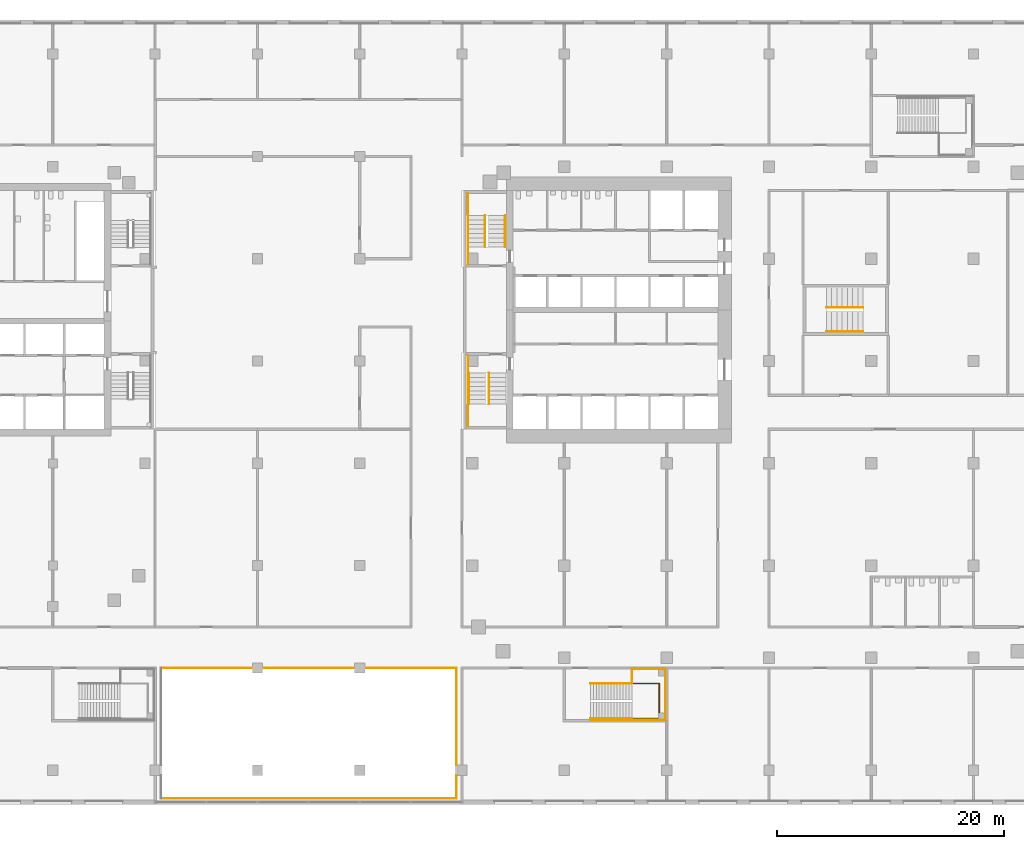
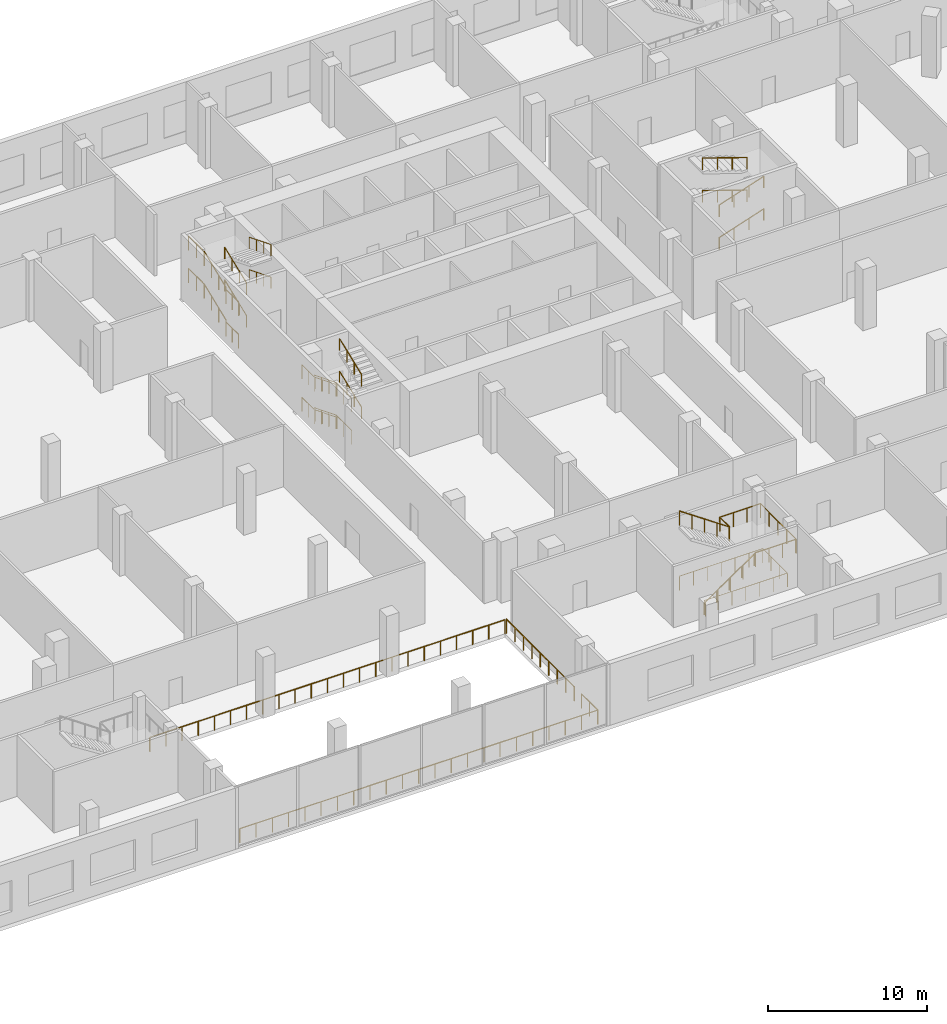
# One storey, part 21 of 23: 26 railings, 3 elements without a shape of their own.
"""IFC4 building model written with IfcOpenShell, lengths in metres."""

import ifcopenshell
import ifcopenshell.guid

model = None  # the IFC model being written
_history = None  # IfcOwnerHistory: only IFC2X3 demands one
_inside = {}  # id of a spatial element -> (the spatial element, [elements in it])
_under = {}  # id of a project, library or spatial element -> (it, [spatial elements below it])
_declared = {}  # id of a project -> (the project, [libraries it declares])
_typed = {}  # id of a type object -> (the type object, [elements of that type])
_made_of = {}  # id of a material, layer set ... -> (it, [elements and type objects made of it])


def new_model(schema):
    """Start an empty IFC model of exactly this schema.

    Asked for "IFC4X3", IfcOpenShell would pick the latest addendum, in which some entities
    have other attributes; the version numbers below select the first issue.
    IFC2X3 requires an IfcOwnerHistory on every rooted entity: one is made here for all.
    """
    global model, _history
    if schema == "IFC4X3":
        model = ifcopenshell.file(schema_version=(4, 3, 0, 0))
    else:
        model = ifcopenshell.file(schema=schema)
    _inside.clear()
    _under.clear()
    _declared.clear()
    _typed.clear()
    _made_of.clear()
    _history = None
    if model.schema == "IFC2X3":
        org = make("IfcOrganization", Name="unknown")
        user = make(
            "IfcPersonAndOrganization",
            ThePerson=make("IfcPerson", FamilyName="unknown"),
            TheOrganization=org,
        )
        app = make(
            "IfcApplication",
            ApplicationDeveloper=org,
            Version="unknown",
            ApplicationFullName="unknown",
            ApplicationIdentifier="unknown",
        )
        _history = make(
            "IfcOwnerHistory",
            OwningUser=user,
            OwningApplication=app,
            ChangeAction="ADDED",
            CreationDate=0,
        )
    return model


def make(cls, **values):
    """One entity of the class cls with the attributes given. An attribute that is None is left unset."""
    return model.create_entity(
        cls, **{name: value for name, value in values.items() if value is not None}
    )


def rooted(cls, **values):
    """An entity with a GlobalId (a new one), such as an element, a storey or a relation."""
    return make(cls, GlobalId=ifcopenshell.guid.new(), OwnerHistory=_history, **values)


def si_unit(unit_type, name, prefix=None):
    """IfcSIUnit, for example si_unit("LENGTHUNIT", "METRE", prefix="MILLI")."""
    return make("IfcSIUnit", UnitType=unit_type, Prefix=prefix, Name=name)


def assignment(units):
    """IfcUnitAssignment: the units of a project."""
    return None if units is None else make("IfcUnitAssignment", Units=units)


def point(xyz):
    """IfcCartesianPoint."""
    return None if xyz is None else make("IfcCartesianPoint", Coordinates=xyz)


def direction(xyz):
    """IfcDirection."""
    return None if xyz is None else make("IfcDirection", DirectionRatios=xyz)


def frame(location, z_axis=None, x_axis=None):
    """IfcAxis2Placement3D, a coordinate frame: its origin and axes. An axis left out is left unset."""
    return make(
        "IfcAxis2Placement3D",
        Location=point(location),
        Axis=direction(z_axis),
        RefDirection=direction(x_axis),
    )


def frame_2d(location, x_axis=None):
    """IfcAxis2Placement2D, a coordinate frame in the plane: its origin and x axis."""
    return make(
        "IfcAxis2Placement2D", Location=point(location), RefDirection=direction(x_axis)
    )


def origin():
    """The frame at (0, 0, 0) with its axes left unset."""
    return frame((0.0, 0.0, 0.0))


def origin_2d():
    """The frame at (0, 0) in the plane with its x axis left unset."""
    return frame_2d((0.0, 0.0))


def place(relative_to, where):
    """IfcLocalPlacement: puts the frame where relative to a parent placement (None: the world)."""
    return make(
        "IfcLocalPlacement", PlacementRelTo=relative_to, RelativePlacement=where
    )


def context(
    kind, dimensions, precision=None, world=None, true_north=None, identifier=None
):
    """IfcGeometricRepresentationContext, for example the 3D "Model" context."""
    return make(
        "IfcGeometricRepresentationContext",
        ContextIdentifier=identifier,
        ContextType=kind,
        CoordinateSpaceDimension=dimensions,
        Precision=precision,
        WorldCoordinateSystem=world,
        TrueNorth=true_north,
    )


def subcontext(parent, identifier, kind, view, scale=None):
    """IfcGeometricRepresentationSubContext, for example "Body" below "Model"."""
    return make(
        "IfcGeometricRepresentationSubContext",
        ContextIdentifier=identifier,
        ContextType=kind,
        ParentContext=parent,
        TargetScale=scale,
        TargetView=view,
    )


def project(units=None, contexts=None):
    """IfcProject with its units and contexts."""
    return rooted(
        "IfcProject",
        Name="project",
        RepresentationContexts=contexts,
        UnitsInContext=assignment(units),
    )


def spatial(cls, under=None, at=None, **own):
    """A site, building, storey or space (cls), placed at a placement, below another one or the project."""
    s = rooted(cls, ObjectPlacement=at, **own)
    if under is not None:
        _under.setdefault(under.id(), (under, []))[1].append(s)
    return s


def profile(cls, at=None, kind="AREA", **sizes):
    """A parametric profile (cls). Its sizes go by their IFC names, for example OverallWidth=200.0."""
    return make(cls, ProfileType=kind, Position=at, **sizes)


def circle(**sizes):
    """IfcCircleProfileDef."""
    return profile("IfcCircleProfileDef", **sizes)


def extrude(swept, where, along, depth):
    """IfcExtrudedAreaSolid: the profile swept, set in the frame where, extruded along a direction by depth."""
    return make(
        "IfcExtrudedAreaSolid",
        SweptArea=swept,
        Position=where,
        ExtrudedDirection=direction(along),
        Depth=depth,
    )


def shape(context_of_items, identifier, shape_type, items):
    """IfcShapeRepresentation: the items that make up one representation, for example the "Body"."""
    return make(
        "IfcShapeRepresentation",
        ContextOfItems=context_of_items,
        RepresentationIdentifier=identifier,
        RepresentationType=shape_type,
        Items=items,
    )


def material(Name=None, Category=None):
    """IfcMaterial."""
    return make("IfcMaterial", Name=Name, Category=Category)


def made_of(thing, what):
    """Note that an element or type object is made of a material, layer set ...; save() writes the relation."""
    if what is not None:
        _made_of.setdefault(what.id(), (what, []))[1].append(thing)
    return thing


def type_object(cls, material=None, **own):
    """A type object (cls), such as IfcWallType, which elements share."""
    return made_of(rooted(cls, **own), material)


def element(
    cls,
    number,
    at=None,
    inside=None,
    cuts=None,
    type_object=None,
    material=None,
    context=None,
    identifier="Body",
    shape_type=None,
    held_by="IfcProductDefinitionShape",
    body=None,
    shapes=None,
    **own,
):
    """One element of the class cls, such as IfcWall. Its Tag is "e" and its number.

    at: its placement. inside: the storey or other place that contains it. cuts: it is an
    opening in that element (IfcRelVoidsElement). A single representation is given by context,
    identifier, shape_type and body (its items); several are given by shapes. held_by: the class
    of the entity that holds the representations. save() writes the other relations.
    """
    e = rooted(cls, Tag="e%d" % number, ObjectPlacement=at, **own)
    if body is not None:
        shapes = [shape(context, identifier, shape_type, body)]
    if shapes is not None:
        e.Representation = make(held_by, Representations=shapes)
    if inside is not None:
        _inside.setdefault(inside.id(), (inside, []))[1].append(e)
    if cuts is not None:
        rooted(
            "IfcRelVoidsElement", RelatingBuildingElement=cuts, RelatedOpeningElement=e
        )
    if type_object is not None:
        _typed.setdefault(type_object.id(), (type_object, []))[1].append(e)
    return made_of(e, material)


def aggregate(whole, parts):
    """IfcRelAggregates: a whole, such as a stair, and the parts it consists of."""
    return rooted("IfcRelAggregates", RelatingObject=whole, RelatedObjects=parts)


def save(model, path):
    """Write the relations noted so far, then the file.

    IfcRelAggregates (storeys below a building ...), IfcRelContainedInSpatialStructure (elements
    in a storey), IfcRelDefinesByType, IfcRelAssociatesMaterial and IfcRelDeclares: one each for
    every whole, place, type object, material and project.
    """
    for whole, parts in _under.values():
        aggregate(whole, parts)
    for where, things in _inside.values():
        rooted(
            "IfcRelContainedInSpatialStructure",
            RelatedElements=things,
            RelatingStructure=where,
        )
    for kind, things in _typed.values():
        rooted("IfcRelDefinesByType", RelatedObjects=things, RelatingType=kind)
    for what, things in _made_of.values():
        rooted("IfcRelAssociatesMaterial", RelatedObjects=things, RelatingMaterial=what)
    for by, libraries in _declared.values():
        rooted("IfcRelDeclares", RelatingContext=by, RelatedDefinitions=libraries)
    model.write(path)


model = new_model("IFC4")

# Units and contexts
model_context = context("Model", 3, precision=1e-05, world=origin(), true_north=direction((0.0, 1.0)))
body_context = subcontext(model_context, "Body", "Model", "MODEL_VIEW")
ifc_project = project(units=[si_unit("LENGTHUNIT", "METRE"), si_unit("AREAUNIT", "SQUARE_METRE"), si_unit("VOLUMEUNIT", "CUBIC_METRE"), si_unit("PLANEANGLEUNIT", "RADIAN"), si_unit("MASSUNIT", "GRAM", prefix="KILO")], contexts=[model_context])

# Site, building, storey
site_placement = place(None, origin())
site = spatial("IfcSite", under=ifc_project, at=site_placement, CompositionType="ELEMENT")
building_placement = place(site_placement, origin())
building = spatial("IfcBuilding", under=site, at=building_placement, Name="Cinnabar Reach Civic Tower", CompositionType="ELEMENT")
storey_placement = place(building_placement, frame((0.0, 0.0, 6.0)))
storey = spatial("IfcBuildingStorey", under=building, at=storey_placement, Name="L01", CompositionType="ELEMENT", Elevation=6.0)

# Railings
ifc_material_1 = material(Name="Stainless steel and glass", Category="steel")
railing_type_1 = type_object("IfcRailingType", Name="Podium guard 1100", PredefinedType="GUARDRAIL", material=ifc_material_1)
railing_1_placement = place(storey_placement, frame((14.94, -1.35, 2.5)))
element("IfcRailing", 1, at=railing_1_placement, inside=storey, type_object=railing_type_1, Name="Stair guard PS3 L01", PredefinedType="GUARDRAIL", context=body_context, shape_type="SweptSolid", body=[
    extrude(circle(Radius=0.024, at=origin_2d()), frame((0.0, 0.0, 1.076), z_axis=(-0.824306135323, 0.0, 0.566144323711), x_axis=(0.0, -1.0, 0.0)), (0.0, 0.0, 1.0), 4.4158),
    extrude(circle(Radius=0.021, at=origin_2d()), origin(), (0.0, 0.0, 1.0), 1.052),
    extrude(circle(Radius=0.021, at=origin_2d()), frame((-0.91, 0.0, 0.625)), (0.0, 0.0, 1.0), 1.052),
    extrude(circle(Radius=0.021, at=origin_2d()), frame((-1.82, 0.0, 1.25)), (0.0, 0.0, 1.0), 1.052),
    extrude(circle(Radius=0.021, at=origin_2d()), frame((-2.73, 0.0, 1.875)), (0.0, 0.0, 1.0), 1.052),
    extrude(circle(Radius=0.021, at=origin_2d()), frame((-3.64, 0.0, 2.5)), (0.0, 0.0, 1.0), 1.052),
])
railing_2_placement = place(storey_placement, frame((14.94, -0.1, 2.5)))
element("IfcRailing", 2, at=railing_2_placement, inside=storey, type_object=railing_type_1, Name="Landing guard PS3 L01", PredefinedType="GUARDRAIL", context=body_context, shape_type="SweptSolid", body=[
    extrude(circle(Radius=0.024, at=origin_2d()), frame((0.0, 0.0, 1.076), z_axis=(1.0, 0.0, 0.0), x_axis=(0.0, 1.0, 0.0)), (0.0, 0.0, 1.0), 2.96),
    extrude(circle(Radius=0.024, at=origin_2d()), frame((2.96, 0.0, 1.076), z_axis=(0.0, -1.0, 0.0), x_axis=(1.0, 0.0, 0.0)), (0.0, 0.0, 1.0), 4.4),
    extrude(circle(Radius=0.021, at=origin_2d()), origin(), (0.0, 0.0, 1.0), 1.052),
    extrude(circle(Radius=0.021, at=origin_2d()), frame((0.9867, 0.0, 0.0)), (0.0, 0.0, 1.0), 1.052),
    extrude(circle(Radius=0.021, at=origin_2d()), frame((1.9733, 0.0, 0.0)), (0.0, 0.0, 1.0), 1.052),
    extrude(circle(Radius=0.021, at=origin_2d()), frame((2.96, 0.0, 0.0)), (0.0, 0.0, 1.0), 1.052),
    extrude(circle(Radius=0.021, at=origin_2d()), frame((2.96, -1.1, 0.0)), (0.0, 0.0, 1.0), 1.052),
    extrude(circle(Radius=0.021, at=origin_2d()), frame((2.96, -2.2, 0.0)), (0.0, 0.0, 1.0), 1.052),
    extrude(circle(Radius=0.021, at=origin_2d()), frame((2.96, -3.3, 0.0)), (0.0, 0.0, 1.0), 1.052),
    extrude(circle(Radius=0.021, at=origin_2d()), frame((2.96, -4.4, 0.0)), (0.0, 0.0, 1.0), 1.052),
])
railing_3_placement = place(storey_placement, frame((14.94, -1.3, 2.5)))
element("IfcRailing", 3, at=railing_3_placement, inside=storey, type_object=railing_type_1, Name="Landing guard PS3 L01 inner", PredefinedType="GUARDRAIL", context=body_context, shape_type="SweptSolid", body=[
    extrude(circle(Radius=0.024, at=origin_2d()), frame((0.0, 0.0, 1.076), z_axis=(0.0, 1.0, 0.0), x_axis=(-1.0, 0.0, 0.0)), (0.0, 0.0, 1.0), 1.2),
    extrude(circle(Radius=0.021, at=origin_2d()), origin(), (0.0, 0.0, 1.0), 1.052),
    extrude(circle(Radius=0.021, at=origin_2d()), frame((0.0, 1.2, 0.0)), (0.0, 0.0, 1.0), 1.052),
])
railing_4_placement = place(storey_placement, frame((11.3, -4.6, 0.0)))
element("IfcRailing", 4, at=railing_4_placement, inside=storey, type_object=railing_type_1, Name="Stair wall side guard PS3 L01", PredefinedType="GUARDRAIL", context=body_context, shape_type="SweptSolid", body=[
    extrude(circle(Radius=0.024, at=origin_2d()), frame((0.0, 0.0, 1.076), z_axis=(0.824306135323, 0.0, 0.566144323711), x_axis=(0.0, 1.0, 0.0)), (0.0, 0.0, 1.0), 4.4158),
    extrude(circle(Radius=0.024, at=origin_2d()), frame((3.64, 0.0, 3.576), z_axis=(1.0, 0.0, 0.0), x_axis=(0.0, 1.0, 0.0)), (0.0, 0.0, 1.0), 2.96),
    extrude(circle(Radius=0.021, at=origin_2d()), origin(), (0.0, 0.0, 1.0), 1.052),
    extrude(circle(Radius=0.021, at=origin_2d()), frame((0.91, 0.0, 0.625)), (0.0, 0.0, 1.0), 1.052),
    extrude(circle(Radius=0.021, at=origin_2d()), frame((1.82, 0.0, 1.25)), (0.0, 0.0, 1.0), 1.052),
    extrude(circle(Radius=0.021, at=origin_2d()), frame((2.73, 0.0, 1.875)), (0.0, 0.0, 1.0), 1.052),
    extrude(circle(Radius=0.021, at=origin_2d()), frame((3.64, 0.0, 2.5)), (0.0, 0.0, 1.0), 1.052),
    extrude(circle(Radius=0.021, at=origin_2d()), frame((4.6267, 0.0, 2.5)), (0.0, 0.0, 1.0), 1.052),
    extrude(circle(Radius=0.021, at=origin_2d()), frame((5.6133, 0.0, 2.5)), (0.0, 0.0, 1.0), 1.052),
    extrude(circle(Radius=0.021, at=origin_2d()), frame((6.6, 0.0, 2.5)), (0.0, 0.0, 1.0), 1.052),
])
railing_5_placement = place(storey_placement, frame((11.3, -4.45, 0.0)))
element("IfcRailing", 5, at=railing_5_placement, inside=storey, type_object=railing_type_1, Name="Stair well guard PS3 L01", PredefinedType="GUARDRAIL", context=body_context, shape_type="SweptSolid", body=[
    extrude(circle(Radius=0.024, at=origin_2d()), frame((0.0, 0.0, 1.076), z_axis=(1.0, 0.0, 0.0), x_axis=(0.0, 1.0, 0.0)), (0.0, 0.0, 1.0), 6.05),
    extrude(circle(Radius=0.024, at=origin_2d()), frame((6.05, 0.0, 1.076), z_axis=(0.0, 1.0, 0.0), x_axis=(-1.0, 0.0, 0.0)), (0.0, 0.0, 1.0), 3.1),
    extrude(circle(Radius=0.024, at=origin_2d()), frame((6.05, 3.1, 1.076), z_axis=(-1.0, 0.0, 0.0), x_axis=(0.0, -1.0, 0.0)), (0.0, 0.0, 1.0), 6.05),
    extrude(circle(Radius=0.021, at=origin_2d()), origin(), (0.0, 0.0, 1.0), 1.052),
    extrude(circle(Radius=0.021, at=origin_2d()), frame((1.0083, 0.0, 0.0)), (0.0, 0.0, 1.0), 1.052),
    extrude(circle(Radius=0.021, at=origin_2d()), frame((2.0167, 0.0, 0.0)), (0.0, 0.0, 1.0), 1.052),
    extrude(circle(Radius=0.021, at=origin_2d()), frame((3.025, 0.0, 0.0)), (0.0, 0.0, 1.0), 1.052),
    extrude(circle(Radius=0.021, at=origin_2d()), frame((4.0333, 0.0, 0.0)), (0.0, 0.0, 1.0), 1.052),
    extrude(circle(Radius=0.021, at=origin_2d()), frame((5.0417, 0.0, 0.0)), (0.0, 0.0, 1.0), 1.052),
    extrude(circle(Radius=0.021, at=origin_2d()), frame((6.05, 0.0, 0.0)), (0.0, 0.0, 1.0), 1.052),
    extrude(circle(Radius=0.021, at=origin_2d()), frame((6.05, 1.0333, 0.0)), (0.0, 0.0, 1.0), 1.052),
    extrude(circle(Radius=0.021, at=origin_2d()), frame((6.05, 2.0667, 0.0)), (0.0, 0.0, 1.0), 1.052),
    extrude(circle(Radius=0.021, at=origin_2d()), frame((6.05, 3.1, 0.0)), (0.0, 0.0, 1.0), 1.052),
    extrude(circle(Radius=0.021, at=origin_2d()), frame((5.0417, 3.1, 0.0)), (0.0, 0.0, 1.0), 1.052),
    extrude(circle(Radius=0.021, at=origin_2d()), frame((4.0333, 3.1, 0.0)), (0.0, 0.0, 1.0), 1.052),
    extrude(circle(Radius=0.021, at=origin_2d()), frame((3.025, 3.1, 0.0)), (0.0, 0.0, 1.0), 1.052),
    extrude(circle(Radius=0.021, at=origin_2d()), frame((2.0167, 3.1, 0.0)), (0.0, 0.0, 1.0), 1.052),
    extrude(circle(Radius=0.021, at=origin_2d()), frame((1.0083, 3.1, 0.0)), (0.0, 0.0, 1.0), 1.052),
    extrude(circle(Radius=0.021, at=origin_2d()), frame((0.0, 3.1, 0.0)), (0.0, 0.0, 1.0), 1.052),
])
railing_6_placement = place(storey_placement, frame((-26.4, 0.0, 0.0)))
element("IfcRailing", 6, at=railing_6_placement, inside=storey, type_object=railing_type_1, Name="Guard L01-hall-edge", PredefinedType="GUARDRAIL", context=body_context, shape_type="SweptSolid", body=[
    extrude(circle(Radius=0.024, at=origin_2d()), frame((0.0, 0.0, 1.076), z_axis=(1.0, 0.0, 0.0), x_axis=(0.0, 1.0, 0.0)), (0.0, 0.0, 1.0), 25.8),
    extrude(circle(Radius=0.021, at=origin_2d()), origin(), (0.0, 0.0, 1.0), 1.052),
    extrude(circle(Radius=0.021, at=origin_2d()), frame((1.1727, 0.0, 0.0)), (0.0, 0.0, 1.0), 1.052),
    extrude(circle(Radius=0.021, at=origin_2d()), frame((2.3455, 0.0, 0.0)), (0.0, 0.0, 1.0), 1.052),
    extrude(circle(Radius=0.021, at=origin_2d()), frame((3.5182, 0.0, 0.0)), (0.0, 0.0, 1.0), 1.052),
    extrude(circle(Radius=0.021, at=origin_2d()), frame((4.6909, 0.0, 0.0)), (0.0, 0.0, 1.0), 1.052),
    extrude(circle(Radius=0.021, at=origin_2d()), frame((5.8636, 0.0, 0.0)), (0.0, 0.0, 1.0), 1.052),
    extrude(circle(Radius=0.021, at=origin_2d()), frame((7.0364, 0.0, 0.0)), (0.0, 0.0, 1.0), 1.052),
    extrude(circle(Radius=0.021, at=origin_2d()), frame((8.2091, 0.0, 0.0)), (0.0, 0.0, 1.0), 1.052),
    extrude(circle(Radius=0.021, at=origin_2d()), frame((9.3818, 0.0, 0.0)), (0.0, 0.0, 1.0), 1.052),
    extrude(circle(Radius=0.021, at=origin_2d()), frame((10.5545, 0.0, 0.0)), (0.0, 0.0, 1.0), 1.052),
    extrude(circle(Radius=0.021, at=origin_2d()), frame((11.7273, 0.0, 0.0)), (0.0, 0.0, 1.0), 1.052),
    extrude(circle(Radius=0.021, at=origin_2d()), frame((12.9, 0.0, 0.0)), (0.0, 0.0, 1.0), 1.052),
    extrude(circle(Radius=0.021, at=origin_2d()), frame((14.0727, 0.0, 0.0)), (0.0, 0.0, 1.0), 1.052),
    extrude(circle(Radius=0.021, at=origin_2d()), frame((15.2455, 0.0, 0.0)), (0.0, 0.0, 1.0), 1.052),
    extrude(circle(Radius=0.021, at=origin_2d()), frame((16.4182, 0.0, 0.0)), (0.0, 0.0, 1.0), 1.052),
    extrude(circle(Radius=0.021, at=origin_2d()), frame((17.5909, 0.0, 0.0)), (0.0, 0.0, 1.0), 1.052),
    extrude(circle(Radius=0.021, at=origin_2d()), frame((18.7636, 0.0, 0.0)), (0.0, 0.0, 1.0), 1.052),
    extrude(circle(Radius=0.021, at=origin_2d()), frame((19.9364, 0.0, 0.0)), (0.0, 0.0, 1.0), 1.052),
    extrude(circle(Radius=0.021, at=origin_2d()), frame((21.1091, 0.0, 0.0)), (0.0, 0.0, 1.0), 1.052),
    extrude(circle(Radius=0.021, at=origin_2d()), frame((22.2818, 0.0, 0.0)), (0.0, 0.0, 1.0), 1.052),
    extrude(circle(Radius=0.021, at=origin_2d()), frame((23.4545, 0.0, 0.0)), (0.0, 0.0, 1.0), 1.052),
    extrude(circle(Radius=0.021, at=origin_2d()), frame((24.6273, 0.0, 0.0)), (0.0, 0.0, 1.0), 1.052),
    extrude(circle(Radius=0.021, at=origin_2d()), frame((25.8, 0.0, 0.0)), (0.0, 0.0, 1.0), 1.052),
])
railing_7_placement = place(storey_placement, frame((-26.5, -11.5, 0.0)))
element("IfcRailing", 7, at=railing_7_placement, inside=storey, type_object=railing_type_1, Name="Opening guard L01 hv-s", PredefinedType="GUARDRAIL", context=body_context, shape_type="SweptSolid", body=[
    extrude(circle(Radius=0.024, at=origin_2d()), frame((0.0, 0.0, 1.076), z_axis=(1.0, 0.0, 0.0), x_axis=(0.0, 1.0, 0.0)), (0.0, 0.0, 1.0), 26.0),
    extrude(circle(Radius=0.021, at=origin_2d()), origin(), (0.0, 0.0, 1.0), 1.052),
    extrude(circle(Radius=0.021, at=origin_2d()), frame((1.1818, 0.0, 0.0)), (0.0, 0.0, 1.0), 1.052),
    extrude(circle(Radius=0.021, at=origin_2d()), frame((2.3636, 0.0, 0.0)), (0.0, 0.0, 1.0), 1.052),
    extrude(circle(Radius=0.021, at=origin_2d()), frame((3.5455, 0.0, 0.0)), (0.0, 0.0, 1.0), 1.052),
    extrude(circle(Radius=0.021, at=origin_2d()), frame((4.7273, 0.0, 0.0)), (0.0, 0.0, 1.0), 1.052),
    extrude(circle(Radius=0.021, at=origin_2d()), frame((5.9091, 0.0, 0.0)), (0.0, 0.0, 1.0), 1.052),
    extrude(circle(Radius=0.021, at=origin_2d()), frame((7.0909, 0.0, 0.0)), (0.0, 0.0, 1.0), 1.052),
    extrude(circle(Radius=0.021, at=origin_2d()), frame((8.2727, 0.0, 0.0)), (0.0, 0.0, 1.0), 1.052),
    extrude(circle(Radius=0.021, at=origin_2d()), frame((9.4545, 0.0, 0.0)), (0.0, 0.0, 1.0), 1.052),
    extrude(circle(Radius=0.021, at=origin_2d()), frame((10.6364, 0.0, 0.0)), (0.0, 0.0, 1.0), 1.052),
    extrude(circle(Radius=0.021, at=origin_2d()), frame((11.8182, 0.0, 0.0)), (0.0, 0.0, 1.0), 1.052),
    extrude(circle(Radius=0.021, at=origin_2d()), frame((13.0, 0.0, 0.0)), (0.0, 0.0, 1.0), 1.052),
    extrude(circle(Radius=0.021, at=origin_2d()), frame((14.1818, 0.0, 0.0)), (0.0, 0.0, 1.0), 1.052),
    extrude(circle(Radius=0.021, at=origin_2d()), frame((15.3636, 0.0, 0.0)), (0.0, 0.0, 1.0), 1.052),
    extrude(circle(Radius=0.021, at=origin_2d()), frame((16.5455, 0.0, 0.0)), (0.0, 0.0, 1.0), 1.052),
    extrude(circle(Radius=0.021, at=origin_2d()), frame((17.7273, 0.0, 0.0)), (0.0, 0.0, 1.0), 1.052),
    extrude(circle(Radius=0.021, at=origin_2d()), frame((18.9091, 0.0, 0.0)), (0.0, 0.0, 1.0), 1.052),
    extrude(circle(Radius=0.021, at=origin_2d()), frame((20.0909, 0.0, 0.0)), (0.0, 0.0, 1.0), 1.052),
    extrude(circle(Radius=0.021, at=origin_2d()), frame((21.2727, 0.0, 0.0)), (0.0, 0.0, 1.0), 1.052),
    extrude(circle(Radius=0.021, at=origin_2d()), frame((22.4545, 0.0, 0.0)), (0.0, 0.0, 1.0), 1.052),
    extrude(circle(Radius=0.021, at=origin_2d()), frame((23.6364, 0.0, 0.0)), (0.0, 0.0, 1.0), 1.052),
    extrude(circle(Radius=0.021, at=origin_2d()), frame((24.8182, 0.0, 0.0)), (0.0, 0.0, 1.0), 1.052),
    extrude(circle(Radius=0.021, at=origin_2d()), frame((26.0, 0.0, 0.0)), (0.0, 0.0, 1.0), 1.052),
])
railing_8_placement = place(storey_placement, frame((-0.5, -11.5, 0.0)))
element("IfcRailing", 8, at=railing_8_placement, inside=storey, type_object=railing_type_1, Name="Opening guard L01 hv-e", PredefinedType="GUARDRAIL", context=body_context, shape_type="SweptSolid", body=[
    extrude(circle(Radius=0.024, at=origin_2d()), frame((0.0, 0.0, 1.076), z_axis=(0.0, 1.0, 0.0), x_axis=(-1.0, 0.0, 0.0)), (0.0, 0.0, 1.0), 2.05),
    extrude(circle(Radius=0.021, at=origin_2d()), origin(), (0.0, 0.0, 1.0), 1.052),
    extrude(circle(Radius=0.021, at=origin_2d()), frame((0.0, 1.025, 0.0)), (0.0, 0.0, 1.0), 1.052),
    extrude(circle(Radius=0.021, at=origin_2d()), frame((0.0, 2.05, 0.0)), (0.0, 0.0, 1.0), 1.052),
])
railing_9_placement = place(storey_placement, frame((-0.5, -8.55, 0.0)))
element("IfcRailing", 9, at=railing_9_placement, inside=storey, type_object=railing_type_1, Name="Opening guard L01 hv-e", PredefinedType="GUARDRAIL", context=body_context, shape_type="SweptSolid", body=[
    extrude(circle(Radius=0.024, at=origin_2d()), frame((0.0, 0.0, 1.076), z_axis=(0.0, 1.0, 0.0), x_axis=(-1.0, 0.0, 0.0)), (0.0, 0.0, 1.0), 8.55),
    extrude(circle(Radius=0.021, at=origin_2d()), origin(), (0.0, 0.0, 1.0), 1.052),
    extrude(circle(Radius=0.021, at=origin_2d()), frame((0.0, 1.0688, 0.0)), (0.0, 0.0, 1.0), 1.052),
    extrude(circle(Radius=0.021, at=origin_2d()), frame((0.0, 2.1375, 0.0)), (0.0, 0.0, 1.0), 1.052),
    extrude(circle(Radius=0.021, at=origin_2d()), frame((0.0, 3.2063, 0.0)), (0.0, 0.0, 1.0), 1.052),
    extrude(circle(Radius=0.021, at=origin_2d()), frame((0.0, 4.275, 0.0)), (0.0, 0.0, 1.0), 1.052),
    extrude(circle(Radius=0.021, at=origin_2d()), frame((0.0, 5.3438, 0.0)), (0.0, 0.0, 1.0), 1.052),
    extrude(circle(Radius=0.021, at=origin_2d()), frame((0.0, 6.4125, 0.0)), (0.0, 0.0, 1.0), 1.052),
    extrude(circle(Radius=0.021, at=origin_2d()), frame((0.0, 7.4813, 0.0)), (0.0, 0.0, 1.0), 1.052),
    extrude(circle(Radius=0.021, at=origin_2d()), frame((0.0, 8.55, 0.0)), (0.0, 0.0, 1.0), 1.052),
])
ifc_material_2 = material(Name="Stainless steel", Category="steel")
railing_type_2 = type_object("IfcRailingType", Name="Podium stair handrail 900", PredefinedType="HANDRAIL", material=ifc_material_2)
railing_10_placement = place(storey_placement, frame((11.3, -4.45, 0.0)))
element("IfcRailing", 10, at=railing_10_placement, inside=storey, type_object=railing_type_2, Name="Stair handrail PS3 L01", PredefinedType="HANDRAIL", context=body_context, shape_type="SweptSolid", body=[
    extrude(circle(Radius=0.024, at=origin_2d()), frame((0.0, 0.0, 0.876), z_axis=(0.824306135323, 0.0, 0.566144323711), x_axis=(0.0, 1.0, 0.0)), (0.0, 0.0, 1.0), 4.4158),
    extrude(circle(Radius=0.021, at=origin_2d()), origin(), (0.0, 0.0, 1.0), 0.852),
    extrude(circle(Radius=0.021, at=origin_2d()), frame((0.91, 0.0, 0.625)), (0.0, 0.0, 1.0), 0.852),
    extrude(circle(Radius=0.021, at=origin_2d()), frame((1.82, 0.0, 1.25)), (0.0, 0.0, 1.0), 0.852),
    extrude(circle(Radius=0.021, at=origin_2d()), frame((2.73, 0.0, 1.875)), (0.0, 0.0, 1.0), 0.852),
    extrude(circle(Radius=0.021, at=origin_2d()), frame((3.64, 0.0, 2.5)), (0.0, 0.0, 1.0), 0.852),
])

# Stair, railings
ifc_material_3 = material(Name="Concrete C40/50", Category="concrete")
stair_type = type_object("IfcStairType", Name="T1 Exit stair, double return", PredefinedType="DOUBLE_RETURN_STAIR", material=ifc_material_3)
stair_1_placement = place(storey_placement, origin())
stair_1 = element("IfcStair", 11, at=stair_1_placement, inside=storey, type_object=stair_type, Name="Stair T1-S1", PredefinedType="DOUBLE_RETURN_STAIR")
ifc_material_4 = material(Name="Stainless steel tube", Category="steel")
railing_type_3 = type_object("IfcRailingType", Name="T1 Stair handrail, stainless tube 48", PredefinedType="HANDRAIL", material=ifc_material_4)
railing_11_placement = place(storey_placement, frame((0.6, 25.95, 0.1562)))
railing_11 = element("IfcRailing", 12, at=railing_11_placement, type_object=railing_type_3, Name="T1-S1 handrail 1", PredefinedType="HANDRAIL", context=body_context, shape_type="SweptSolid", body=[
    extrude(circle(Radius=0.024, at=origin_2d()), frame((0.0, 0.0, 0.876), z_axis=(0.0, -0.928966009512, 0.370165035047), x_axis=(1.0, 0.0, 0.0)), (0.0, 0.0, 1.0), 2.9549),
    extrude(circle(Radius=0.021, at=origin_2d()), origin(), (0.0, 0.0, 1.0), 0.852),
    extrude(circle(Radius=0.021, at=origin_2d()), frame((0.0, -0.915, 0.3646)), (0.0, 0.0, 1.0), 0.852),
    extrude(circle(Radius=0.021, at=origin_2d()), frame((0.0, -1.83, 0.7292)), (0.0, 0.0, 1.0), 0.852),
    extrude(circle(Radius=0.021, at=origin_2d()), frame((0.0, -2.745, 1.0938)), (0.0, 0.0, 1.0), 0.852),
])
railing_12_placement = place(storey_placement, frame((2.375, 23.205, 1.4062)))
railing_12 = element("IfcRailing", 13, at=railing_12_placement, type_object=railing_type_3, Name="T1-S1 handrail 2", PredefinedType="HANDRAIL", context=body_context, shape_type="SweptSolid", body=[
    extrude(circle(Radius=0.024, at=origin_2d()), frame((0.0, 0.0, 0.876), z_axis=(0.0, 0.928966009512, 0.370165035047), x_axis=(-1.0, 0.0, 0.0)), (0.0, 0.0, 1.0), 2.9549),
    extrude(circle(Radius=0.021, at=origin_2d()), origin(), (0.0, 0.0, 1.0), 0.852),
    extrude(circle(Radius=0.021, at=origin_2d()), frame((0.0, 0.915, 0.3646)), (0.0, 0.0, 1.0), 0.852),
    extrude(circle(Radius=0.021, at=origin_2d()), frame((0.0, 1.83, 0.7292)), (0.0, 0.0, 1.0), 0.852),
    extrude(circle(Radius=0.021, at=origin_2d()), frame((0.0, 2.745, 1.0938)), (0.0, 0.0, 1.0), 0.852),
])
railing_13_placement = place(storey_placement, frame((0.6, 25.95, 2.6562)))
railing_13 = element("IfcRailing", 14, at=railing_13_placement, type_object=railing_type_3, Name="T1-S1 handrail 3", PredefinedType="HANDRAIL", context=body_context, shape_type="SweptSolid", body=[
    extrude(circle(Radius=0.024, at=origin_2d()), frame((0.0, 0.0, 0.876), z_axis=(0.0, -0.928966009512, 0.370165035047), x_axis=(1.0, 0.0, 0.0)), (0.0, 0.0, 1.0), 2.9549),
    extrude(circle(Radius=0.021, at=origin_2d()), origin(), (0.0, 0.0, 1.0), 0.852),
    extrude(circle(Radius=0.021, at=origin_2d()), frame((0.0, -0.915, 0.3646)), (0.0, 0.0, 1.0), 0.852),
    extrude(circle(Radius=0.021, at=origin_2d()), frame((0.0, -1.83, 0.7292)), (0.0, 0.0, 1.0), 0.852),
    extrude(circle(Radius=0.021, at=origin_2d()), frame((0.0, -2.745, 1.0938)), (0.0, 0.0, 1.0), 0.852),
])
railing_14_placement = place(storey_placement, frame((2.375, 23.205, 3.9062)))
railing_14 = element("IfcRailing", 15, at=railing_14_placement, type_object=railing_type_3, Name="T1-S1 handrail 4", PredefinedType="HANDRAIL", context=body_context, shape_type="SweptSolid", body=[
    extrude(circle(Radius=0.024, at=origin_2d()), frame((0.0, 0.0, 0.876), z_axis=(0.0, 0.928966009512, 0.370165035047), x_axis=(-1.0, 0.0, 0.0)), (0.0, 0.0, 1.0), 2.9549),
    extrude(circle(Radius=0.021, at=origin_2d()), origin(), (0.0, 0.0, 1.0), 0.852),
    extrude(circle(Radius=0.021, at=origin_2d()), frame((0.0, 0.915, 0.3646)), (0.0, 0.0, 1.0), 0.852),
    extrude(circle(Radius=0.021, at=origin_2d()), frame((0.0, 1.83, 0.7292)), (0.0, 0.0, 1.0), 0.852),
    extrude(circle(Radius=0.021, at=origin_2d()), frame((0.0, 2.745, 1.0938)), (0.0, 0.0, 1.0), 0.852),
])

stair_2_placement = place(storey_placement, origin())
stair_2 = element("IfcStair", 16, at=stair_2_placement, inside=storey, type_object=stair_type, Name="Stair T1-S2", PredefinedType="DOUBLE_RETURN_STAIR")
railing_15_placement = place(storey_placement, frame((2.025, 37.05, 0.1562)))
railing_15 = element("IfcRailing", 17, at=railing_15_placement, type_object=railing_type_3, Name="T1-S2 handrail 1", PredefinedType="HANDRAIL", context=body_context, shape_type="SweptSolid", body=[
    extrude(circle(Radius=0.024, at=origin_2d()), frame((0.0, 0.0, 0.876), z_axis=(0.0, 0.928966009512, 0.370165035047), x_axis=(-1.0, 0.0, 0.0)), (0.0, 0.0, 1.0), 2.9549),
    extrude(circle(Radius=0.021, at=origin_2d()), origin(), (0.0, 0.0, 1.0), 0.852),
    extrude(circle(Radius=0.021, at=origin_2d()), frame((0.0, 0.915, 0.3646)), (0.0, 0.0, 1.0), 0.852),
    extrude(circle(Radius=0.021, at=origin_2d()), frame((0.0, 1.83, 0.7292)), (0.0, 0.0, 1.0), 0.852),
    extrude(circle(Radius=0.021, at=origin_2d()), frame((0.0, 2.745, 1.0938)), (0.0, 0.0, 1.0), 0.852),
])
railing_16_placement = place(storey_placement, frame((3.8, 39.795, 1.4062)))
railing_16 = element("IfcRailing", 18, at=railing_16_placement, type_object=railing_type_3, Name="T1-S2 handrail 2", PredefinedType="HANDRAIL", context=body_context, shape_type="SweptSolid", body=[
    extrude(circle(Radius=0.024, at=origin_2d()), frame((0.0, 0.0, 0.876), z_axis=(0.0, -0.928966009512, 0.370165035047), x_axis=(1.0, 0.0, 0.0)), (0.0, 0.0, 1.0), 2.9549),
    extrude(circle(Radius=0.021, at=origin_2d()), origin(), (0.0, 0.0, 1.0), 0.852),
    extrude(circle(Radius=0.021, at=origin_2d()), frame((0.0, -0.915, 0.3646)), (0.0, 0.0, 1.0), 0.852),
    extrude(circle(Radius=0.021, at=origin_2d()), frame((0.0, -1.83, 0.7292)), (0.0, 0.0, 1.0), 0.852),
    extrude(circle(Radius=0.021, at=origin_2d()), frame((0.0, -2.745, 1.0938)), (0.0, 0.0, 1.0), 0.852),
])
railing_17_placement = place(storey_placement, frame((2.025, 37.05, 2.6562)))
railing_17 = element("IfcRailing", 19, at=railing_17_placement, type_object=railing_type_3, Name="T1-S2 handrail 3", PredefinedType="HANDRAIL", context=body_context, shape_type="SweptSolid", body=[
    extrude(circle(Radius=0.024, at=origin_2d()), frame((0.0, 0.0, 0.876), z_axis=(0.0, 0.928966009512, 0.370165035047), x_axis=(-1.0, 0.0, 0.0)), (0.0, 0.0, 1.0), 2.9549),
    extrude(circle(Radius=0.021, at=origin_2d()), origin(), (0.0, 0.0, 1.0), 0.852),
    extrude(circle(Radius=0.021, at=origin_2d()), frame((0.0, 0.915, 0.3646)), (0.0, 0.0, 1.0), 0.852),
    extrude(circle(Radius=0.021, at=origin_2d()), frame((0.0, 1.83, 0.7292)), (0.0, 0.0, 1.0), 0.852),
    extrude(circle(Radius=0.021, at=origin_2d()), frame((0.0, 2.745, 1.0938)), (0.0, 0.0, 1.0), 0.852),
])
railing_18_placement = place(storey_placement, frame((3.8, 39.795, 3.9062)))
railing_18 = element("IfcRailing", 20, at=railing_18_placement, type_object=railing_type_3, Name="T1-S2 handrail 4", PredefinedType="HANDRAIL", context=body_context, shape_type="SweptSolid", body=[
    extrude(circle(Radius=0.024, at=origin_2d()), frame((0.0, 0.0, 0.876), z_axis=(0.0, -0.928966009512, 0.370165035047), x_axis=(1.0, 0.0, 0.0)), (0.0, 0.0, 1.0), 2.9549),
    extrude(circle(Radius=0.021, at=origin_2d()), origin(), (0.0, 0.0, 1.0), 0.852),
    extrude(circle(Radius=0.021, at=origin_2d()), frame((0.0, -0.915, 0.3646)), (0.0, 0.0, 1.0), 0.852),
    extrude(circle(Radius=0.021, at=origin_2d()), frame((0.0, -1.83, 0.7292)), (0.0, 0.0, 1.0), 0.852),
    extrude(circle(Radius=0.021, at=origin_2d()), frame((0.0, -2.745, 1.0938)), (0.0, 0.0, 1.0), 0.852),
])

stair_3_placement = place(storey_placement, origin())
stair_3 = element("IfcStair", 21, at=stair_3_placement, inside=storey, type_object=stair_type, Name="Stair T1-S3", PredefinedType="DOUBLE_RETURN_STAIR")
railing_19_placement = place(storey_placement, frame((32.05, 29.6, 0.1562)))
railing_19 = element("IfcRailing", 22, at=railing_19_placement, type_object=railing_type_3, Name="T1-S3 handrail 1", PredefinedType="HANDRAIL", context=body_context, shape_type="SweptSolid", body=[
    extrude(circle(Radius=0.024, at=origin_2d()), frame((0.0, 0.0, 0.876), z_axis=(0.947465695108, 0.0, 0.319857400404), x_axis=(0.0, 1.0, 0.0)), (0.0, 0.0, 1.0), 3.4196),
    extrude(circle(Radius=0.021, at=origin_2d()), origin(), (0.0, 0.0, 1.0), 0.852),
    extrude(circle(Radius=0.021, at=origin_2d()), frame((1.08, 0.0, 0.3646)), (0.0, 0.0, 1.0), 0.852),
    extrude(circle(Radius=0.021, at=origin_2d()), frame((2.16, 0.0, 0.7292)), (0.0, 0.0, 1.0), 0.852),
    extrude(circle(Radius=0.021, at=origin_2d()), frame((3.24, 0.0, 1.0938)), (0.0, 0.0, 1.0), 0.852),
])
railing_20_placement = place(storey_placement, frame((35.29, 31.7, 1.4062)))
railing_20 = element("IfcRailing", 23, at=railing_20_placement, type_object=railing_type_3, Name="T1-S3 handrail 2", PredefinedType="HANDRAIL", context=body_context, shape_type="SweptSolid", body=[
    extrude(circle(Radius=0.024, at=origin_2d()), frame((0.0, 0.0, 0.876), z_axis=(-0.947465695108, 0.0, 0.319857400404), x_axis=(0.0, -1.0, 0.0)), (0.0, 0.0, 1.0), 3.4196),
    extrude(circle(Radius=0.021, at=origin_2d()), origin(), (0.0, 0.0, 1.0), 0.852),
    extrude(circle(Radius=0.021, at=origin_2d()), frame((-1.08, 0.0, 0.3646)), (0.0, 0.0, 1.0), 0.852),
    extrude(circle(Radius=0.021, at=origin_2d()), frame((-2.16, 0.0, 0.7292)), (0.0, 0.0, 1.0), 0.852),
    extrude(circle(Radius=0.021, at=origin_2d()), frame((-3.24, 0.0, 1.0938)), (0.0, 0.0, 1.0), 0.852),
])
railing_21_placement = place(storey_placement, frame((32.05, 29.6, 2.6562)))
railing_21 = element("IfcRailing", 24, at=railing_21_placement, type_object=railing_type_3, Name="T1-S3 handrail 3", PredefinedType="HANDRAIL", context=body_context, shape_type="SweptSolid", body=[
    extrude(circle(Radius=0.024, at=origin_2d()), frame((0.0, 0.0, 0.876), z_axis=(0.947465695108, 0.0, 0.319857400404), x_axis=(0.0, 1.0, 0.0)), (0.0, 0.0, 1.0), 3.4196),
    extrude(circle(Radius=0.021, at=origin_2d()), origin(), (0.0, 0.0, 1.0), 0.852),
    extrude(circle(Radius=0.021, at=origin_2d()), frame((1.08, 0.0, 0.3646)), (0.0, 0.0, 1.0), 0.852),
    extrude(circle(Radius=0.021, at=origin_2d()), frame((2.16, 0.0, 0.7292)), (0.0, 0.0, 1.0), 0.852),
    extrude(circle(Radius=0.021, at=origin_2d()), frame((3.24, 0.0, 1.0938)), (0.0, 0.0, 1.0), 0.852),
])
railing_22_placement = place(storey_placement, frame((35.29, 31.7, 3.9062)))
railing_22 = element("IfcRailing", 25, at=railing_22_placement, type_object=railing_type_3, Name="T1-S3 handrail 4", PredefinedType="HANDRAIL", context=body_context, shape_type="SweptSolid", body=[
    extrude(circle(Radius=0.024, at=origin_2d()), frame((0.0, 0.0, 0.876), z_axis=(-0.947465695108, 0.0, 0.319857400404), x_axis=(0.0, -1.0, 0.0)), (0.0, 0.0, 1.0), 3.4196),
    extrude(circle(Radius=0.021, at=origin_2d()), origin(), (0.0, 0.0, 1.0), 0.852),
    extrude(circle(Radius=0.021, at=origin_2d()), frame((-1.08, 0.0, 0.3646)), (0.0, 0.0, 1.0), 0.852),
    extrude(circle(Radius=0.021, at=origin_2d()), frame((-2.16, 0.0, 0.7292)), (0.0, 0.0, 1.0), 0.852),
    extrude(circle(Radius=0.021, at=origin_2d()), frame((-3.24, 0.0, 1.0938)), (0.0, 0.0, 1.0), 0.852),
])
aggregate(stair_3, [railing_19, railing_20, railing_21, railing_22])

# Railing
ifc_material_5 = material(Name="Stainless steel and laminated glass", Category="steel")
railing_type_4 = type_object("IfcRailingType", Name="T1 stair guard, stainless balustrade 1100", PredefinedType="GUARDRAIL", material=ifc_material_5)
railing_23_placement = place(storey_placement, frame((0.53, 27.5, 0.0)))
railing_23 = element("IfcRailing", 26, at=railing_23_placement, type_object=railing_type_4, Name="T1-S1 guard 1", PredefinedType="GUARDRAIL", context=body_context, shape_type="SweptSolid", body=[
    extrude(circle(Radius=0.024, at=origin_2d()), frame((0.0, 0.0, 1.076), z_axis=(0.0, -1.0, 0.0), x_axis=(1.0, 0.0, 0.0)), (0.0, 0.0, 1.0), 1.55),
    extrude(circle(Radius=0.024, at=origin_2d()), frame((0.0, -1.55, 1.076), z_axis=(0.0, 0.0, 1.0), x_axis=(1.0, 0.0, 0.0)), (0.0, 0.0, 1.0), 0.1562),
    extrude(circle(Radius=0.024, at=origin_2d()), frame((0.0, -1.55, 1.2322), z_axis=(0.0, -0.928966009512, 0.370165035047), x_axis=(1.0, 0.0, 0.0)), (0.0, 0.0, 1.0), 2.9549),
    extrude(circle(Radius=0.024, at=origin_2d()), frame((0.0, -4.295, 2.326), z_axis=(0.0, -1.0, 0.0), x_axis=(1.0, 0.0, 0.0)), (0.0, 0.0, 1.0), 1.955),
    extrude(circle(Radius=0.021, at=origin_2d()), origin(), (0.0, 0.0, 1.0), 1.052),
    extrude(circle(Radius=0.021, at=origin_2d()), frame((0.0, -0.775, 0.0)), (0.0, 0.0, 1.0), 1.052),
    extrude(circle(Radius=0.021, at=origin_2d()), frame((0.0, -1.55, 0.0)), (0.0, 0.0, 1.0), 1.052),
    extrude(circle(Radius=0.021, at=origin_2d()), frame((0.0, -1.55, 0.1562)), (0.0, 0.0, 1.0), 1.052),
    extrude(circle(Radius=0.021, at=origin_2d()), frame((0.0, -2.465, 0.5208)), (0.0, 0.0, 1.0), 1.052),
    extrude(circle(Radius=0.021, at=origin_2d()), frame((0.0, -3.38, 0.8854)), (0.0, 0.0, 1.0), 1.052),
    extrude(circle(Radius=0.021, at=origin_2d()), frame((0.0, -4.295, 1.25)), (0.0, 0.0, 1.0), 1.052),
    extrude(circle(Radius=0.021, at=origin_2d()), frame((0.0, -5.2725, 1.25)), (0.0, 0.0, 1.0), 1.052),
    extrude(circle(Radius=0.021, at=origin_2d()), frame((0.0, -6.25, 1.25)), (0.0, 0.0, 1.0), 1.052),
])

railing_24_placement = place(storey_placement, frame((0.53, 27.5, 2.5)))
railing_24 = element("IfcRailing", 27, at=railing_24_placement, type_object=railing_type_4, Name="T1-S1 guard 2", PredefinedType="GUARDRAIL", context=body_context, shape_type="SweptSolid", body=[
    extrude(circle(Radius=0.024, at=origin_2d()), frame((0.0, 0.0, 1.076), z_axis=(0.0, -1.0, 0.0), x_axis=(1.0, 0.0, 0.0)), (0.0, 0.0, 1.0), 1.55),
    extrude(circle(Radius=0.024, at=origin_2d()), frame((0.0, -1.55, 1.076), z_axis=(0.0, 0.0, 1.0), x_axis=(1.0, 0.0, 0.0)), (0.0, 0.0, 1.0), 0.1562),
    extrude(circle(Radius=0.024, at=origin_2d()), frame((0.0, -1.55, 1.2322), z_axis=(0.0, -0.928966009512, 0.370165035047), x_axis=(1.0, 0.0, 0.0)), (0.0, 0.0, 1.0), 2.9549),
    extrude(circle(Radius=0.024, at=origin_2d()), frame((0.0, -4.295, 2.326), z_axis=(0.0, -1.0, 0.0), x_axis=(1.0, 0.0, 0.0)), (0.0, 0.0, 1.0), 1.955),
    extrude(circle(Radius=0.021, at=origin_2d()), origin(), (0.0, 0.0, 1.0), 1.052),
    extrude(circle(Radius=0.021, at=origin_2d()), frame((0.0, -0.775, 0.0)), (0.0, 0.0, 1.0), 1.052),
    extrude(circle(Radius=0.021, at=origin_2d()), frame((0.0, -1.55, 0.0)), (0.0, 0.0, 1.0), 1.052),
    extrude(circle(Radius=0.021, at=origin_2d()), frame((0.0, -1.55, 0.1562)), (0.0, 0.0, 1.0), 1.052),
    extrude(circle(Radius=0.021, at=origin_2d()), frame((0.0, -2.465, 0.5208)), (0.0, 0.0, 1.0), 1.052),
    extrude(circle(Radius=0.021, at=origin_2d()), frame((0.0, -3.38, 0.8854)), (0.0, 0.0, 1.0), 1.052),
    extrude(circle(Radius=0.021, at=origin_2d()), frame((0.0, -4.295, 1.25)), (0.0, 0.0, 1.0), 1.052),
    extrude(circle(Radius=0.021, at=origin_2d()), frame((0.0, -5.2725, 1.25)), (0.0, 0.0, 1.0), 1.052),
    extrude(circle(Radius=0.021, at=origin_2d()), frame((0.0, -6.25, 1.25)), (0.0, 0.0, 1.0), 1.052),
])

aggregate(stair_1, [railing_11, railing_12, railing_13, railing_14, railing_23, railing_24])

railing_25_placement = place(storey_placement, frame((0.53, 35.5, 0.0)))
railing_25 = element("IfcRailing", 28, at=railing_25_placement, type_object=railing_type_4, Name="T1-S2 guard 1", PredefinedType="GUARDRAIL", context=body_context, shape_type="SweptSolid", body=[
    extrude(circle(Radius=0.024, at=origin_2d()), frame((0.0, 0.0, 1.076), z_axis=(0.0, 1.0, 0.0), x_axis=(-1.0, 0.0, 0.0)), (0.0, 0.0, 1.0), 1.55),
    extrude(circle(Radius=0.024, at=origin_2d()), frame((0.0, 1.55, 1.076), z_axis=(0.0, 0.0, 1.0), x_axis=(1.0, 0.0, 0.0)), (0.0, 0.0, 1.0), 0.1562),
    extrude(circle(Radius=0.024, at=origin_2d()), frame((0.0, 1.55, 1.2322), z_axis=(0.0, 0.928966009512, 0.370165035047), x_axis=(-1.0, 0.0, 0.0)), (0.0, 0.0, 1.0), 2.9549),
    extrude(circle(Radius=0.024, at=origin_2d()), frame((0.0, 4.295, 2.326), z_axis=(0.0, 1.0, 0.0), x_axis=(-1.0, 0.0, 0.0)), (0.0, 0.0, 1.0), 1.955),
    extrude(circle(Radius=0.021, at=origin_2d()), origin(), (0.0, 0.0, 1.0), 1.052),
    extrude(circle(Radius=0.021, at=origin_2d()), frame((0.0, 0.775, 0.0)), (0.0, 0.0, 1.0), 1.052),
    extrude(circle(Radius=0.021, at=origin_2d()), frame((0.0, 1.55, 0.0)), (0.0, 0.0, 1.0), 1.052),
    extrude(circle(Radius=0.021, at=origin_2d()), frame((0.0, 1.55, 0.1562)), (0.0, 0.0, 1.0), 1.052),
    extrude(circle(Radius=0.021, at=origin_2d()), frame((0.0, 2.465, 0.5208)), (0.0, 0.0, 1.0), 1.052),
    extrude(circle(Radius=0.021, at=origin_2d()), frame((0.0, 3.38, 0.8854)), (0.0, 0.0, 1.0), 1.052),
    extrude(circle(Radius=0.021, at=origin_2d()), frame((0.0, 4.295, 1.25)), (0.0, 0.0, 1.0), 1.052),
    extrude(circle(Radius=0.021, at=origin_2d()), frame((0.0, 5.2725, 1.25)), (0.0, 0.0, 1.0), 1.052),
    extrude(circle(Radius=0.021, at=origin_2d()), frame((0.0, 6.25, 1.25)), (0.0, 0.0, 1.0), 1.052),
])

railing_26_placement = place(storey_placement, frame((0.53, 35.5, 2.5)))
railing_26 = element("IfcRailing", 29, at=railing_26_placement, type_object=railing_type_4, Name="T1-S2 guard 2", PredefinedType="GUARDRAIL", context=body_context, shape_type="SweptSolid", body=[
    extrude(circle(Radius=0.024, at=origin_2d()), frame((0.0, 0.0, 1.076), z_axis=(0.0, 1.0, 0.0), x_axis=(-1.0, 0.0, 0.0)), (0.0, 0.0, 1.0), 1.55),
    extrude(circle(Radius=0.024, at=origin_2d()), frame((0.0, 1.55, 1.076), z_axis=(0.0, 0.0, 1.0), x_axis=(1.0, 0.0, 0.0)), (0.0, 0.0, 1.0), 0.1562),
    extrude(circle(Radius=0.024, at=origin_2d()), frame((0.0, 1.55, 1.2322), z_axis=(0.0, 0.928966009512, 0.370165035047), x_axis=(-1.0, 0.0, 0.0)), (0.0, 0.0, 1.0), 2.9549),
    extrude(circle(Radius=0.024, at=origin_2d()), frame((0.0, 4.295, 2.326), z_axis=(0.0, 1.0, 0.0), x_axis=(-1.0, 0.0, 0.0)), (0.0, 0.0, 1.0), 1.955),
    extrude(circle(Radius=0.021, at=origin_2d()), origin(), (0.0, 0.0, 1.0), 1.052),
    extrude(circle(Radius=0.021, at=origin_2d()), frame((0.0, 0.775, 0.0)), (0.0, 0.0, 1.0), 1.052),
    extrude(circle(Radius=0.021, at=origin_2d()), frame((0.0, 1.55, 0.0)), (0.0, 0.0, 1.0), 1.052),
    extrude(circle(Radius=0.021, at=origin_2d()), frame((0.0, 1.55, 0.1562)), (0.0, 0.0, 1.0), 1.052),
    extrude(circle(Radius=0.021, at=origin_2d()), frame((0.0, 2.465, 0.5208)), (0.0, 0.0, 1.0), 1.052),
    extrude(circle(Radius=0.021, at=origin_2d()), frame((0.0, 3.38, 0.8854)), (0.0, 0.0, 1.0), 1.052),
    extrude(circle(Radius=0.021, at=origin_2d()), frame((0.0, 4.295, 1.25)), (0.0, 0.0, 1.0), 1.052),
    extrude(circle(Radius=0.021, at=origin_2d()), frame((0.0, 5.2725, 1.25)), (0.0, 0.0, 1.0), 1.052),
    extrude(circle(Radius=0.021, at=origin_2d()), frame((0.0, 6.25, 1.25)), (0.0, 0.0, 1.0), 1.052),
])

aggregate(stair_2, [railing_15, railing_16, railing_17, railing_18, railing_25, railing_26])

save(model, "model.ifc")
